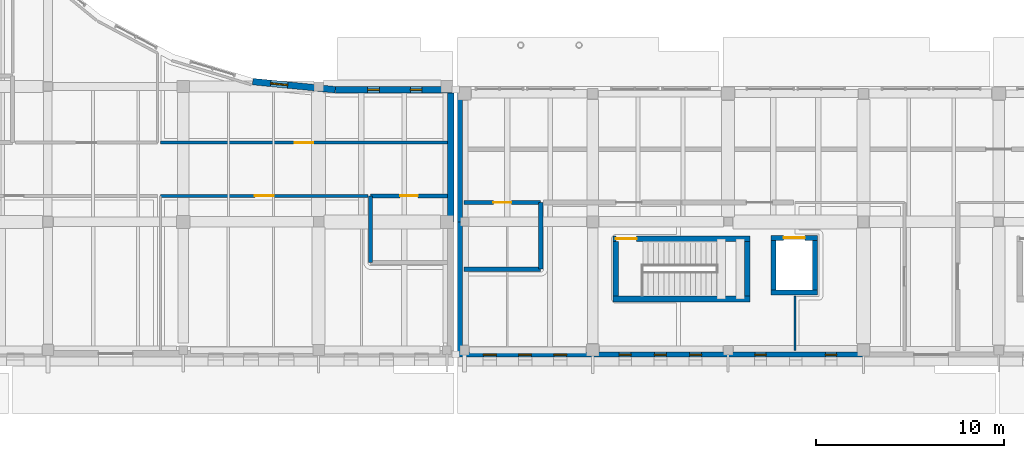
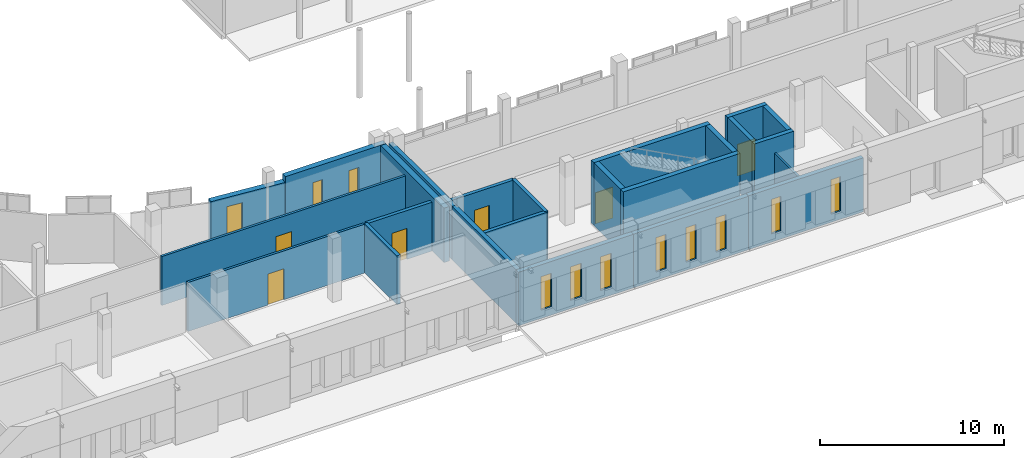
# One storey, part 49 of 77: 24 walls, 11 windows, 6 doors, 17 openings.
"""IFC4 building model written with IfcOpenShell, lengths in metres."""

from ifc_helpers import new_model, si_unit, direction, frame, frame_2d, origin, place, context, subcontext, project, spatial, rectangle, extrude, material, layer, layer_set, type_object, element, fill, save


model = new_model("IFC4")

# Units and contexts
model_context = context("Model", 3, precision=1e-05, world=origin(), true_north=direction((0.0, 1.0)))
body_context = subcontext(model_context, "Body", "Model", "MODEL_VIEW")
ifc_project = project(units=[si_unit("LENGTHUNIT", "METRE"), si_unit("AREAUNIT", "SQUARE_METRE"), si_unit("VOLUMEUNIT", "CUBIC_METRE"), si_unit("PLANEANGLEUNIT", "RADIAN"), si_unit("MASSUNIT", "GRAM", prefix="KILO")], contexts=[model_context])

# Site, building, storey
site_placement = place(None, origin())
site = spatial("IfcSite", under=ifc_project, at=site_placement, CompositionType="ELEMENT")
building_placement = place(site_placement, origin())
building = spatial("IfcBuilding", under=site, at=building_placement, Name="Vardoun Plaza Health Centre", CompositionType="ELEMENT")
storey_placement = place(building_placement, origin())
storey = spatial("IfcBuildingStorey", under=building, at=storey_placement, Name="L00", CompositionType="ELEMENT", Elevation=0.0)

# Walls
ifc_material_1 = material(Name="Concrete C40/50", Category="concrete")
ifc_layer_1 = layer(ifc_material_1, 0.27001953125)
ifc_layer_set_1 = layer_set([ifc_layer_1], Name="Concrete C40/50")
wall_type_1 = type_object("IfcWallType", Name="SW-03", PredefinedType="SHEAR", material=ifc_layer_set_1)
wall_1_placement = place(storey_placement, frame((67.034912109375, 7.949951171875, 0.0), z_axis=(0.0, 0.0, 1.0), x_axis=(-1.0, 0.0, 0.0)))
element("IfcWall", 1, at=wall_1_placement, inside=storey, type_object=wall_type_1, Name="Lift LP-03 L00 Shaft Wall S", PredefinedType="SHEAR", context=body_context, shape_type="SweptSolid", body=[
    extrude(rectangle(XDim=2.469970703125, YDim=0.27001953125, at=frame_2d((1.23486328125, 0.0))), origin(), (0.0, 0.0, 1.0), 4.18505859375),
])
wall_2_placement = place(storey_placement, frame((64.699951171875, 8.0849609375, 0.0), z_axis=(0.0, 0.0, 1.0), x_axis=(0.0, 1.0, 0.0)))
element("IfcWall", 2, at=wall_2_placement, inside=storey, type_object=wall_type_1, Name="Lift LP-03 L00 Shaft Wall W", PredefinedType="SHEAR", context=body_context, shape_type="SweptSolid", body=[
    extrude(rectangle(XDim=2.630126953125, YDim=0.27001953125, at=frame_2d((1.31494140625, 0.0))), origin(), (0.0, 0.0, 1.0), 4.18505859375),
])

# Wall, opening, door
wall_3_placement = place(storey_placement, frame((64.56494140625, 10.85009765625, 0.0), z_axis=(0.0, 0.0, 1.0), x_axis=(1.0, 0.0, 0.0)))
wall_3 = element("IfcWall", 3, at=wall_3_placement, inside=storey, type_object=wall_type_1, Name="Lift LP-03 L00 Shaft Wall N", PredefinedType="SHEAR", context=body_context, shape_type="SweptSolid", body=[
    extrude(rectangle(XDim=2.469970703125, YDim=0.27001953125, at=frame_2d((1.23486328125, 0.0))), origin(), (0.0, 0.0, 1.0), 4.18505859375),
])
opening_1_placement = place(wall_3_placement, frame((0.675048828125, 0.0, 0.0)))
opening_1 = element("IfcOpeningElement", 4, at=opening_1_placement, cuts=wall_3, Name="Opening LD-LP-03-L00", PredefinedType="OPENING", context=body_context, shape_type="SweptSolid", body=[
    extrude(rectangle(XDim=1.1201171875, YDim=2.10009765625, at=frame_2d((0.56005859375, 1.050048828125))), frame((0.0, 0.135009765625, 0.0), z_axis=(0.0, -1.0, 0.0), x_axis=(1.0, 0.0, 0.0)), (0.0, 0.0, 1.0), 0.27001953125),
])
ifc_material_2 = material(Name="Brushed Stainless Steel Grade 316L", Category="steel")
door_type_1 = type_object("IfcDoorType", Name="LD-01", OperationType="DOUBLE_DOOR_SLIDING", PredefinedType="DOOR", material=ifc_material_2)
door_1_placement = place(opening_1_placement, origin())
door_1 = element("IfcDoor", 5, at=door_1_placement, inside=storey, type_object=door_type_1, Name="Lift LP-03 L00 Sliding Landing Door", OperationType="DOUBLE_DOOR_SLIDING", OverallHeight=2.10009765625, OverallWidth=1.1201171875, PredefinedType="DOOR", context=body_context, shape_type="SweptSolid", body=[
    extrude(rectangle(XDim=1.1201171875, YDim=2.10009765625, at=frame_2d((0.56005859375, 1.050048828125))), frame((0.0, 0.02490234375, 0.0), z_axis=(0.0, -1.0, 0.0), x_axis=(1.0, 0.0, 0.0)), (0.0, 0.0, 1.0), 0.050048828125),
])
fill(opening_1, door_1)

# Walls
wall_4_placement = place(storey_placement, frame((66.89990234375, 10.715087890625, 0.0), z_axis=(0.0, 0.0, 1.0), x_axis=(0.0, -1.0, 0.0)))
element("IfcWall", 6, at=wall_4_placement, inside=storey, type_object=wall_type_1, Name="Lift LP-03 L00 Shaft Wall E", PredefinedType="SHEAR", context=body_context, shape_type="SweptSolid", body=[
    extrude(rectangle(XDim=2.630126953125, YDim=0.27001953125, at=frame_2d((1.31494140625, 0.0))), origin(), (0.0, 0.0, 1.0), 4.18505859375),
])
ifc_material_3 = material(Name="Concrete C40/50", Category="concrete")
ifc_layer_2 = layer(ifc_material_3, 0.300048828125)
ifc_layer_set_2 = layer_set([ifc_layer_2], Name="Concrete C40/50")
wall_type_2 = type_object("IfcWallType", Name="SW-01", PredefinedType="SHEAR", material=ifc_layer_set_2)
wall_5_placement = place(storey_placement, frame((63.449951171875, 7.60009765625, 0.0), z_axis=(0.0, 0.0, 1.0), x_axis=(-1.0, 0.0, 0.0)))
element("IfcWall", 7, at=wall_5_placement, inside=storey, type_object=wall_type_2, Name="Core C6 L00 Shear Wall S", PredefinedType="SHEAR", context=body_context, shape_type="SweptSolid", body=[
    extrude(rectangle(XDim=7.300048828125, YDim=0.300048828125, at=frame_2d((3.64990234375, 0.0))), origin(), (0.0, 0.0, 1.0), 4.18505859375),
])
wall_6_placement = place(storey_placement, frame((56.300048828125, 7.75, 0.0), z_axis=(0.0, 0.0, 1.0), x_axis=(0.0, 1.0, 0.0)))
element("IfcWall", 8, at=wall_6_placement, inside=storey, type_object=wall_type_2, Name="Core C6 L00 Shear Wall W", PredefinedType="SHEAR", context=body_context, shape_type="SweptSolid", body=[
    extrude(rectangle(XDim=2.89990234375, YDim=0.300048828125, at=frame_2d((1.449951171875, 0.0))), origin(), (0.0, 0.0, 1.0), 4.18505859375),
])

# Wall, opening, door
wall_7_placement = place(storey_placement, frame((56.14990234375, 10.800048828125, 0.0), z_axis=(0.0, 0.0, 1.0), x_axis=(1.0, 0.0, 0.0)))
wall_7 = element("IfcWall", 9, at=wall_7_placement, inside=storey, type_object=wall_type_2, Name="Core C6 L00 Shear Wall N", PredefinedType="SHEAR", context=body_context, shape_type="SweptSolid", body=[
    extrude(rectangle(XDim=7.300048828125, YDim=0.300048828125, at=frame_2d((3.64990234375, 0.0))), origin(), (0.0, 0.0, 1.0), 4.18505859375),
])
opening_2_placement = place(wall_7_placement, frame((0.159912109375, 0.0, 0.0)))
opening_2 = element("IfcOpeningElement", 10, at=opening_2_placement, cuts=wall_7, Name="Opening SD-C6-L00", PredefinedType="OPENING", context=body_context, shape_type="SweptSolid", body=[
    extrude(rectangle(XDim=1.10009765625, YDim=2.050048828125, at=frame_2d((0.550048828125, 1.02490234375))), frame((0.0, 0.14990234375, 0.0), z_axis=(0.0, -1.0, 0.0), x_axis=(1.0, 0.0, 0.0)), (0.0, 0.0, 1.0), 0.300048828125),
])
ifc_material_4 = material(Name="Brushed Stainless Steel Grade 316L", Category="steel")
door_type_2 = type_object("IfcDoorType", Name="FD-01", OperationType="NOTDEFINED", PredefinedType="DOOR", material=ifc_material_4)
door_2_placement = place(opening_2_placement, origin())
door_2 = element("IfcDoor", 11, at=door_2_placement, inside=storey, type_object=door_type_2, Name="Stair C6 L00 Fire Door", OperationType="SINGLE_SWING_RIGHT", OverallHeight=2.050048828125, OverallWidth=1.10009765625, PredefinedType="DOOR", context=body_context, shape_type="SweptSolid", body=[
    extrude(rectangle(XDim=1.10009765625, YDim=2.050048828125, at=frame_2d((0.550048828125, 1.02490234375))), frame((0.0, 0.02490234375, 0.0), z_axis=(0.0, -1.0, 0.0), x_axis=(1.0, 0.0, 0.0)), (0.0, 0.0, 1.0), 0.050048828125),
])
fill(opening_2, door_2)

# Wall
wall_8_placement = place(storey_placement, frame((63.300048828125, 10.64990234375, 0.0), z_axis=(0.0, 0.0, 1.0), x_axis=(0.0, -1.0, 0.0)))
element("IfcWall", 12, at=wall_8_placement, inside=storey, type_object=wall_type_2, Name="Core C6 L00 Shear Wall E", PredefinedType="SHEAR", context=body_context, shape_type="SweptSolid", body=[
    extrude(rectangle(XDim=2.89990234375, YDim=0.300048828125, at=frame_2d((1.449951171875, 0.0))), origin(), (0.0, 0.0, 1.0), 4.18505859375),
])

# Wall, openings, windows
ifc_material_5 = material(Name="Pale Limestone Concrete C35/45", Category="masonry")
ifc_layer_3 = layer(ifc_material_5, 0.280029296875)
ifc_layer_set_3 = layer_set([ifc_layer_3], Name="Pale Limestone Concrete C35/45")
wall_type_3 = type_object("IfcWallType", Name="EW-05", PredefinedType="STANDARD", material=ifc_layer_set_3)
wall_9_placement = place(storey_placement, frame((69.47998046875, 4.639892578125, 0.0), z_axis=(0.0, 0.0, 1.0), x_axis=(-1.0, 0.0, 0.0)))
wall_9 = element("IfcWall", 13, at=wall_9_placement, inside=storey, type_object=wall_type_3, Name="V4 L00 Exterior Wall EW-V4-331", PredefinedType="STANDARD", context=body_context, shape_type="SweptSolid", body=[
    extrude(rectangle(XDim=7.199951171875, YDim=0.280029296875, at=frame_2d((3.60009765625, 0.0))), origin(), (0.0, 0.0, 1.0), 3.570068359375),
])
opening_3_placement = place(wall_9_placement, frame((1.427978515625, 0.0, 0.550048828125)))
opening_3 = element("IfcOpeningElement", 14, at=opening_3_placement, cuts=wall_9, Name="Opening W-11-013", PredefinedType="OPENING", context=body_context, shape_type="SweptSolid", body=[
    extrude(rectangle(XDim=0.60009765625, YDim=2.280029296875, at=frame_2d((0.300048828125, 1.14013671875))), frame((0.0, 0.14013671875, 0.0), z_axis=(0.0, -1.0, 0.0), x_axis=(1.0, 0.0, 0.0)), (0.0, 0.0, 1.0), 0.280029296875),
])
opening_4_placement = place(wall_9_placement, frame((5.172119140625, 0.0, 0.550048828125)))
opening_4 = element("IfcOpeningElement", 15, at=opening_4_placement, cuts=wall_9, Name="Opening W-11-014", PredefinedType="OPENING", context=body_context, shape_type="SweptSolid", body=[
    extrude(rectangle(XDim=0.60009765625, YDim=2.280029296875, at=frame_2d((0.300048828125, 1.14013671875))), frame((0.0, 0.14013671875, 0.0), z_axis=(0.0, -1.0, 0.0), x_axis=(1.0, 0.0, 0.0)), (0.0, 0.0, 1.0), 0.280029296875),
])
ifc_material_6 = material(Name="Aluminium Alloy EN AW-6063-T6 and Low-E Glass", Category="aluminium")
window_type_1 = type_object("IfcWindowType", Name="W-11", PartitioningType="SINGLE_PANEL", PredefinedType="WINDOW", material=ifc_material_6)
window_1_placement = place(opening_3_placement, origin())
window_1 = element("IfcWindow", 16, at=window_1_placement, inside=storey, type_object=window_type_1, Name="V4 L00 Deep-Punched Slot Window W-11-514", OverallHeight=2.280029296875, OverallWidth=0.60009765625, PartitioningType="SINGLE_PANEL", PredefinedType="WINDOW", context=body_context, shape_type="SweptSolid", body=[
    extrude(rectangle(XDim=0.60009765625, YDim=2.280029296875, at=frame_2d((0.300048828125, 1.14013671875))), frame((0.0, 0.030029296875, 0.0), z_axis=(0.0, -1.0, 0.0), x_axis=(1.0, 0.0, 0.0)), (0.0, 0.0, 1.0), 0.06005859375),
])
fill(opening_3, window_1)
window_2_placement = place(opening_4_placement, origin())
window_2 = element("IfcWindow", 17, at=window_2_placement, inside=storey, type_object=window_type_1, Name="V4 L00 Deep-Punched Slot Window W-11-516", OverallHeight=2.280029296875, OverallWidth=0.60009765625, PartitioningType="SINGLE_PANEL", PredefinedType="WINDOW", context=body_context, shape_type="SweptSolid", body=[
    extrude(rectangle(XDim=0.60009765625, YDim=2.280029296875, at=frame_2d((0.300048828125, 1.14013671875))), frame((0.0, 0.030029296875, 0.0), z_axis=(0.0, -1.0, 0.0), x_axis=(1.0, 0.0, 0.0)), (0.0, 0.0, 1.0), 0.06005859375),
])
fill(opening_4, window_2)

wall_10_placement = place(storey_placement, frame((62.280029296875, 4.639892578125, 0.0), z_axis=(0.0, 0.0, 1.0), x_axis=(-1.0, 0.0, 0.0)))
wall_10 = element("IfcWall", 18, at=wall_10_placement, inside=storey, type_object=wall_type_3, Name="V4 L00 Exterior Wall EW-V4-332", PredefinedType="STANDARD", context=body_context, shape_type="SweptSolid", body=[
    extrude(rectangle(XDim=7.199951171875, YDim=0.280029296875, at=frame_2d((3.60009765625, 0.0))), origin(), (0.0, 0.0, 1.0), 3.550048828125),
])
opening_5_placement = place(wall_10_placement, frame((1.407958984375, 0.0, 0.550048828125)))
opening_5 = element("IfcOpeningElement", 19, at=opening_5_placement, cuts=wall_10, Name="Opening W-12-010", PredefinedType="OPENING", context=body_context, shape_type="SweptSolid", body=[
    extrude(rectangle(XDim=0.639892578125, YDim=2.280029296875, at=frame_2d((0.31982421875, 1.14013671875))), frame((0.0, 0.14013671875, 0.0), z_axis=(0.0, -1.0, 0.0), x_axis=(1.0, 0.0, 0.0)), (0.0, 0.0, 1.0), 0.280029296875),
])
opening_6_placement = place(wall_10_placement, frame((3.280029296875, 0.0, 0.550048828125)))
opening_6 = element("IfcOpeningElement", 20, at=opening_6_placement, cuts=wall_10, Name="Opening W-12-011", PredefinedType="OPENING", context=body_context, shape_type="SweptSolid", body=[
    extrude(rectangle(XDim=0.639892578125, YDim=2.280029296875, at=frame_2d((0.31982421875, 1.14013671875))), frame((0.0, 0.14013671875, 0.0), z_axis=(0.0, -1.0, 0.0), x_axis=(1.0, 0.0, 0.0)), (0.0, 0.0, 1.0), 0.280029296875),
])
opening_7_placement = place(wall_10_placement, frame((5.152099609375, 0.0, 0.550048828125)))
opening_7 = element("IfcOpeningElement", 21, at=opening_7_placement, cuts=wall_10, Name="Opening W-12-012", PredefinedType="OPENING", context=body_context, shape_type="SweptSolid", body=[
    extrude(rectangle(XDim=0.639892578125, YDim=2.280029296875, at=frame_2d((0.31982421875, 1.14013671875))), frame((0.0, 0.14013671875, 0.0), z_axis=(0.0, -1.0, 0.0), x_axis=(1.0, 0.0, 0.0)), (0.0, 0.0, 1.0), 0.280029296875),
])
ifc_material_7 = material(Name="Aluminium Alloy EN AW-6063-T6 and Low-E Glass", Category="aluminium")
window_type_2 = type_object("IfcWindowType", Name="W-12", PartitioningType="SINGLE_PANEL", PredefinedType="WINDOW", material=ifc_material_7)
window_3_placement = place(opening_5_placement, origin())
window_3 = element("IfcWindow", 22, at=window_3_placement, inside=storey, type_object=window_type_2, Name="V4 L00 Deep-Punched Slot Window W-12-517", OverallHeight=2.280029296875, OverallWidth=0.639892578125, PartitioningType="SINGLE_PANEL", PredefinedType="WINDOW", context=body_context, shape_type="SweptSolid", body=[
    extrude(rectangle(XDim=0.639892578125, YDim=2.280029296875, at=frame_2d((0.31982421875, 1.14013671875))), frame((0.0, 0.030029296875, 0.0), z_axis=(0.0, -1.0, 0.0), x_axis=(1.0, 0.0, 0.0)), (0.0, 0.0, 1.0), 0.06005859375),
])
fill(opening_5, window_3)
window_4_placement = place(opening_6_placement, origin())
window_4 = element("IfcWindow", 23, at=window_4_placement, inside=storey, type_object=window_type_2, Name="V4 L00 Deep-Punched Slot Window W-12-518", OverallHeight=2.280029296875, OverallWidth=0.639892578125, PartitioningType="SINGLE_PANEL", PredefinedType="WINDOW", context=body_context, shape_type="SweptSolid", body=[
    extrude(rectangle(XDim=0.639892578125, YDim=2.280029296875, at=frame_2d((0.31982421875, 1.14013671875))), frame((0.0, 0.030029296875, 0.0), z_axis=(0.0, -1.0, 0.0), x_axis=(1.0, 0.0, 0.0)), (0.0, 0.0, 1.0), 0.06005859375),
])
fill(opening_6, window_4)
window_5_placement = place(opening_7_placement, origin())
window_5 = element("IfcWindow", 24, at=window_5_placement, inside=storey, type_object=window_type_2, Name="V4 L00 Deep-Punched Slot Window W-12-519", OverallHeight=2.280029296875, OverallWidth=0.639892578125, PartitioningType="SINGLE_PANEL", PredefinedType="WINDOW", context=body_context, shape_type="SweptSolid", body=[
    extrude(rectangle(XDim=0.639892578125, YDim=2.280029296875, at=frame_2d((0.31982421875, 1.14013671875))), frame((0.0, 0.030029296875, 0.0), z_axis=(0.0, -1.0, 0.0), x_axis=(1.0, 0.0, 0.0)), (0.0, 0.0, 1.0), 0.06005859375),
])
fill(opening_7, window_5)

wall_11_placement = place(storey_placement, frame((55.080078125, 4.639892578125, 0.0), z_axis=(0.0, 0.0, 1.0), x_axis=(-1.0, 0.0, 0.0)))
wall_11 = element("IfcWall", 25, at=wall_11_placement, inside=storey, type_object=wall_type_3, Name="V4 L00 Exterior Wall EW-V4-333", PredefinedType="STANDARD", context=body_context, shape_type="SweptSolid", body=[
    extrude(rectangle(XDim=7.2001953125, YDim=0.280029296875, at=frame_2d((3.60009765625, 0.0))), origin(), (0.0, 0.0, 1.0), 3.550048828125),
])
opening_8_placement = place(wall_11_placement, frame((1.387939453125, 0.0, 0.550048828125)))
opening_8 = element("IfcOpeningElement", 26, at=opening_8_placement, cuts=wall_11, Name="Opening W-13-015", PredefinedType="OPENING", context=body_context, shape_type="SweptSolid", body=[
    extrude(rectangle(XDim=0.679931640625, YDim=2.219970703125, at=frame_2d((0.33984375, 1.10986328125))), frame((0.0, 0.14013671875, 0.0), z_axis=(0.0, -1.0, 0.0), x_axis=(1.0, 0.0, 0.0)), (0.0, 0.0, 1.0), 0.280029296875),
])
opening_9_placement = place(wall_11_placement, frame((3.260009765625, 0.0, 0.550048828125)))
opening_9 = element("IfcOpeningElement", 27, at=opening_9_placement, cuts=wall_11, Name="Opening W-13-016", PredefinedType="OPENING", context=body_context, shape_type="SweptSolid", body=[
    extrude(rectangle(XDim=0.679931640625, YDim=2.219970703125, at=frame_2d((0.33984375, 1.10986328125))), frame((0.0, 0.14013671875, 0.0), z_axis=(0.0, -1.0, 0.0), x_axis=(1.0, 0.0, 0.0)), (0.0, 0.0, 1.0), 0.280029296875),
])
opening_10_placement = place(wall_11_placement, frame((5.132080078125, 0.0, 0.550048828125)))
opening_10 = element("IfcOpeningElement", 28, at=opening_10_placement, cuts=wall_11, Name="Opening W-13-017", PredefinedType="OPENING", context=body_context, shape_type="SweptSolid", body=[
    extrude(rectangle(XDim=0.679931640625, YDim=2.219970703125, at=frame_2d((0.33984375, 1.10986328125))), frame((0.0, 0.14013671875, 0.0), z_axis=(0.0, -1.0, 0.0), x_axis=(1.0, 0.0, 0.0)), (0.0, 0.0, 1.0), 0.280029296875),
])
ifc_material_8 = material(Name="Aluminium Alloy EN AW-6063-T6 and Low-E Glass", Category="aluminium")
window_type_3 = type_object("IfcWindowType", Name="W-13", PartitioningType="SINGLE_PANEL", PredefinedType="WINDOW", material=ifc_material_8)
window_6_placement = place(opening_8_placement, origin())
window_6 = element("IfcWindow", 29, at=window_6_placement, inside=storey, type_object=window_type_3, Name="V4 L00 Deep-Punched Slot Window W-13-520", OverallHeight=2.219970703125, OverallWidth=0.679931640625, PartitioningType="SINGLE_PANEL", PredefinedType="WINDOW", context=body_context, shape_type="SweptSolid", body=[
    extrude(rectangle(XDim=0.679931640625, YDim=2.219970703125, at=frame_2d((0.33984375, 1.10986328125))), frame((0.0, 0.030029296875, 0.0), z_axis=(0.0, -1.0, 0.0), x_axis=(1.0, 0.0, 0.0)), (0.0, 0.0, 1.0), 0.06005859375),
])
fill(opening_8, window_6)
window_7_placement = place(opening_9_placement, origin())
window_7 = element("IfcWindow", 30, at=window_7_placement, inside=storey, type_object=window_type_3, Name="V4 L00 Deep-Punched Slot Window W-13-521", OverallHeight=2.219970703125, OverallWidth=0.679931640625, PartitioningType="SINGLE_PANEL", PredefinedType="WINDOW", context=body_context, shape_type="SweptSolid", body=[
    extrude(rectangle(XDim=0.679931640625, YDim=2.219970703125, at=frame_2d((0.33984375, 1.10986328125))), frame((0.0, 0.030029296875, 0.0), z_axis=(0.0, -1.0, 0.0), x_axis=(1.0, 0.0, 0.0)), (0.0, 0.0, 1.0), 0.06005859375),
])
fill(opening_9, window_7)
window_8_placement = place(opening_10_placement, origin())
window_8 = element("IfcWindow", 31, at=window_8_placement, inside=storey, type_object=window_type_3, Name="V4 L00 Deep-Punched Slot Window W-13-522", OverallHeight=2.219970703125, OverallWidth=0.679931640625, PartitioningType="SINGLE_PANEL", PredefinedType="WINDOW", context=body_context, shape_type="SweptSolid", body=[
    extrude(rectangle(XDim=0.679931640625, YDim=2.219970703125, at=frame_2d((0.33984375, 1.10986328125))), frame((0.0, 0.030029296875, 0.0), z_axis=(0.0, -1.0, 0.0), x_axis=(1.0, 0.0, 0.0)), (0.0, 0.0, 1.0), 0.06005859375),
])
fill(opening_10, window_8)

# Walls
wall_12_placement = place(storey_placement, frame((48.02001953125, 4.780029296875, 0.0), z_axis=(0.0, 0.0, 1.0), x_axis=(0.0, 1.0, 0.0)))
element("IfcWall", 32, at=wall_12_placement, inside=storey, type_object=wall_type_3, Name="V4 L00 Exterior Wall EW-V4-334", PredefinedType="STANDARD", context=body_context, shape_type="SweptSolid", body=[
    extrude(rectangle(XDim=6.919921875, YDim=0.280029296875, at=frame_2d((3.4599609375, 0.0))), origin(), (0.0, 0.0, 1.0), 3.550048828125),
])
wall_13_placement = place(storey_placement, frame((48.02001953125, 11.699951171875, 0.0), z_axis=(0.0, 0.0, 1.0), x_axis=(0.0, 1.0, 0.0)))
element("IfcWall", 33, at=wall_13_placement, inside=storey, type_object=wall_type_3, Name="V4 L00 Exterior Wall EW-V4-335", PredefinedType="STANDARD", context=body_context, shape_type="SweptSolid", body=[
    extrude(rectangle(XDim=6.920166015625, YDim=0.280029296875, at=frame_2d((3.4599609375, 0.0))), origin(), (0.0, 0.0, 1.0), 3.550048828125),
])

# Wall, opening, window
ifc_material_9 = material(Name="Pale Limestone Concrete C35/45", Category="masonry")
ifc_layer_4 = layer(ifc_material_9, 0.344970703125)
ifc_layer_set_4 = layer_set([ifc_layer_4], Name="Pale Limestone Concrete C35/45")
wall_type_4 = type_object("IfcWallType", Name="EW-01", PredefinedType="SOLIDWALL", material=ifc_layer_set_4)
wall_14_placement = place(storey_placement, frame((36.99365234375, 19.16064453125, 0.0), z_axis=(0.0, 0.0, 1.0), x_axis=(0.995183522218, -0.098029368588, 0.0)))
wall_14 = element("IfcWall", 34, at=wall_14_placement, inside=storey, type_object=wall_type_4, Name="V2 L00 Exterior Wall EW-V2-080", PredefinedType="SOLIDWALL", context=body_context, shape_type="SweptSolid", body=[
    extrude(rectangle(XDim=4.41064453125, YDim=0.344970703125, at=frame_2d((2.205322265625, 0.0))), origin(), (0.0, 0.0, 1.0), 3.2548828125),
])
opening_11_placement = place(wall_14_placement, frame((0.951416015625, 0.0, 0.550048828125)))
opening_11 = element("IfcOpeningElement", 35, at=opening_11_placement, cuts=wall_14, Name="Opening W-19-001", PredefinedType="OPENING", context=body_context, shape_type="SweptSolid", body=[
    extrude(rectangle(XDim=0.919921875, YDim=2.10009765625, at=frame_2d((0.4599609375, 1.050048828125))), frame((0.0, 0.17236328125, 0.0), z_axis=(0.0, -1.0, 0.0), x_axis=(1.0, 0.0, 0.0)), (0.0, 0.0, 1.0), 0.344970703125),
])
ifc_material_10 = material(Name="Aluminium Alloy EN AW-6063-T6 and Low-E Glass", Category="aluminium")
window_type_4 = type_object("IfcWindowType", Name="W-19", PartitioningType="DOUBLE_PANEL_VERTICAL", PredefinedType="WINDOW", material=ifc_material_10)
window_9_placement = place(opening_11_placement, origin())
window_9 = element("IfcWindow", 36, at=window_9_placement, inside=storey, type_object=window_type_4, Name="V2 L00 Deep-Punched Slot Window W-19-012", OverallHeight=2.10009765625, OverallWidth=0.919921875, PartitioningType="DOUBLE_PANEL_VERTICAL", PredefinedType="WINDOW", context=body_context, shape_type="SweptSolid", body=[
    extrude(rectangle(XDim=0.919921875, YDim=2.10009765625, at=frame_2d((0.4599609375, 1.050048828125))), frame((0.0, 0.030029296875, 0.0), z_axis=(0.0, -1.0, 0.0), x_axis=(1.0, 0.0, 0.0)), (0.0, 0.0, 1.0), 0.06005859375),
])
fill(opening_11, window_9)

# Wall, openings, windows
wall_15_placement = place(storey_placement, frame((41.39990234375, 18.7275390625, 0.0), z_axis=(0.0, 0.0, 1.0), x_axis=(1.0, 0.0, 0.0)))
wall_15 = element("IfcWall", 37, at=wall_15_placement, inside=storey, type_object=wall_type_4, Name="V2 L00 Exterior Wall EW-V2-081", PredefinedType="SOLIDWALL", context=body_context, shape_type="SweptSolid", body=[
    extrude(rectangle(XDim=6.300048828125, YDim=0.344970703125, at=frame_2d((3.14990234375, 0.0))), origin(), (0.0, 0.0, 1.0), 3.625),
])
opening_12_placement = place(wall_15_placement, frame((1.7060546875, 0.0, 0.550048828125)))
opening_12 = element("IfcOpeningElement", 38, at=opening_12_placement, cuts=wall_15, Name="Opening W-21-001", PredefinedType="OPENING", context=body_context, shape_type="SweptSolid", body=[
    extrude(rectangle(XDim=0.6201171875, YDim=2.080078125, at=frame_2d((0.31005859375, 1.0400390625))), frame((0.0, 0.17236328125, 0.0), z_axis=(0.0, -1.0, 0.0), x_axis=(1.0, 0.0, 0.0)), (0.0, 0.0, 1.0), 0.344970703125),
])
opening_13_placement = place(wall_15_placement, frame((3.97412109375, 0.0, 0.550048828125)))
opening_13 = element("IfcOpeningElement", 39, at=opening_13_placement, cuts=wall_15, Name="Opening W-21-002", PredefinedType="OPENING", context=body_context, shape_type="SweptSolid", body=[
    extrude(rectangle(XDim=0.6201171875, YDim=2.080078125, at=frame_2d((0.31005859375, 1.0400390625))), frame((0.0, 0.17236328125, 0.0), z_axis=(0.0, -1.0, 0.0), x_axis=(1.0, 0.0, 0.0)), (0.0, 0.0, 1.0), 0.344970703125),
])
ifc_material_11 = material(Name="Aluminium Alloy EN AW-6063-T6 and Low-E Glass", Category="aluminium")
window_type_5 = type_object("IfcWindowType", Name="W-21", PartitioningType="SINGLE_PANEL", PredefinedType="WINDOW", material=ifc_material_11)
window_10_placement = place(opening_12_placement, origin())
window_10 = element("IfcWindow", 40, at=window_10_placement, inside=storey, type_object=window_type_5, Name="V2 L00 Deep-Punched Slot Window W-21-013", OverallHeight=2.080078125, OverallWidth=0.6201171875, PartitioningType="SINGLE_PANEL", PredefinedType="WINDOW", context=body_context, shape_type="SweptSolid", body=[
    extrude(rectangle(XDim=0.6201171875, YDim=2.080078125, at=frame_2d((0.31005859375, 1.0400390625))), frame((0.0, 0.030029296875, 0.0), z_axis=(0.0, -1.0, 0.0), x_axis=(1.0, 0.0, 0.0)), (0.0, 0.0, 1.0), 0.06005859375),
])
fill(opening_12, window_10)
window_11_placement = place(opening_13_placement, origin())
window_11 = element("IfcWindow", 41, at=window_11_placement, inside=storey, type_object=window_type_5, Name="V2 L00 Deep-Punched Slot Window W-21-014", OverallHeight=2.080078125, OverallWidth=0.6201171875, PartitioningType="SINGLE_PANEL", PredefinedType="WINDOW", context=body_context, shape_type="SweptSolid", body=[
    extrude(rectangle(XDim=0.6201171875, YDim=2.080078125, at=frame_2d((0.31005859375, 1.0400390625))), frame((0.0, 0.030029296875, 0.0), z_axis=(0.0, -1.0, 0.0), x_axis=(1.0, 0.0, 0.0)), (0.0, 0.0, 1.0), 0.06005859375),
])
fill(opening_13, window_11)

# Wall
wall_16_placement = place(storey_placement, frame((47.527587890625, 18.554931640625, 0.0), z_axis=(0.0, 0.0, 1.0), x_axis=(0.0, -1.0, 0.0)))
element("IfcWall", 42, at=wall_16_placement, inside=storey, type_object=wall_type_4, Name="V2 L00 Exterior Wall EW-V2-082", PredefinedType="SOLIDWALL", context=body_context, shape_type="SweptSolid", body=[
    extrude(rectangle(XDim=6.85498046875, YDim=0.344970703125, at=frame_2d((3.427490234375, 0.0))), origin(), (0.0, 0.0, 1.0), 3.60498046875),
])

# Wall, opening, door
ifc_material_12 = material(Name="Acoustic Gypsum Twin-Stud", Category="steel")
ifc_layer_5 = layer(ifc_material_12, 0.14990234375)
ifc_layer_set_5 = layer_set([ifc_layer_5], Name="Acoustic Gypsum Twin-Stud")
wall_type_5 = type_object("IfcWallType", Name="IW-04", PredefinedType="PARTITIONING", material=ifc_layer_set_5)
wall_17_placement = place(storey_placement, frame((32.090087890625, 13.080078125, 0.0), z_axis=(0.0, 0.0, 1.0), x_axis=(1.0, 0.0, 0.0)))
wall_17 = element("IfcWall", 43, at=wall_17_placement, inside=storey, type_object=wall_type_5, Name="GP Consulting Room 04 Partition Wall", PredefinedType="PARTITIONING", context=body_context, shape_type="SweptSolid", body=[
    extrude(rectangle(XDim=11.036376953125, YDim=0.14990234375, at=frame_2d((5.51806640625, 0.0))), origin(), (0.0, 0.0, 1.0), 3.239990234375),
])
opening_14_placement = place(wall_17_placement, frame((5.018310546875, 0.0, 0.0)))
opening_14 = element("IfcOpeningElement", 44, at=opening_14_placement, cuts=wall_17, Name="Opening D-L00-029", PredefinedType="OPENING", context=body_context, shape_type="SweptSolid", body=[
    extrude(rectangle(XDim=1.0, YDim=2.050048828125, at=frame_2d((0.5, 1.02490234375))), frame((0.0, 0.074951171875, 0.0), z_axis=(0.0, -1.0, 0.0), x_axis=(1.0, 0.0, 0.0)), (0.0, 0.0, 1.0), 0.14990234375),
])
ifc_material_13 = material(Name="Antimicrobial Acoustic Timber and Steel S275JR", Category="steel")
door_type_3 = type_object("IfcDoorType", Name="CD-03", OperationType="NOTDEFINED", PredefinedType="DOOR", material=ifc_material_13)
door_3_placement = place(opening_14_placement, origin())
door_3 = element("IfcDoor", 45, at=door_3_placement, inside=storey, type_object=door_type_3, Name="GP Consulting Room 04 Door D-L00-029", OperationType="SINGLE_SWING_LEFT", OverallHeight=2.050048828125, OverallWidth=1.0, PredefinedType="DOOR", context=body_context, shape_type="SweptSolid", body=[
    extrude(rectangle(XDim=1.0, YDim=2.050048828125, at=frame_2d((0.5, 1.02490234375))), frame((0.0, 0.02490234375, 0.0), z_axis=(0.0, -1.0, 0.0), x_axis=(1.0, 0.0, 0.0)), (0.0, 0.0, 1.0), 0.050048828125),
])
fill(opening_14, door_3)

wall_18_placement = place(storey_placement, frame((47.35009765625, 15.919921875, 0.0), z_axis=(0.0, 0.0, 1.0), x_axis=(-1.0, 0.0, 0.0)))
wall_18 = element("IfcWall", 46, at=wall_18_placement, inside=storey, type_object=wall_type_5, Name="GP Consulting Room 01 Partition Wall", PredefinedType="PARTITIONING", context=body_context, shape_type="SweptSolid", body=[
    extrude(rectangle(XDim=15.260009765625, YDim=0.14990234375, at=frame_2d((7.6298828125, 0.0))), origin(), (0.0, 0.0, 1.0), 3.239990234375),
])
opening_15_placement = place(wall_18_placement, frame((7.1298828125, 0.0, 0.0)))
opening_15 = element("IfcOpeningElement", 47, at=opening_15_placement, cuts=wall_18, Name="Opening D-L00-033", PredefinedType="OPENING", context=body_context, shape_type="SweptSolid", body=[
    extrude(rectangle(XDim=1.0, YDim=2.050048828125, at=frame_2d((0.5, 1.02490234375))), frame((0.0, 0.074951171875, 0.0), z_axis=(0.0, -1.0, 0.0), x_axis=(1.0, 0.0, 0.0)), (0.0, 0.0, 1.0), 0.14990234375),
])
door_4_placement = place(opening_15_placement, origin())
door_4 = element("IfcDoor", 48, at=door_4_placement, inside=storey, type_object=door_type_3, Name="GP Consulting Room 01 Door D-L00-033", OperationType="SINGLE_SWING_LEFT", OverallHeight=2.050048828125, OverallWidth=1.0, PredefinedType="DOOR", context=body_context, shape_type="SweptSolid", body=[
    extrude(rectangle(XDim=1.0, YDim=2.050048828125, at=frame_2d((0.5, 1.02490234375))), frame((0.0, 0.02490234375, 0.0), z_axis=(0.0, -1.0, 0.0), x_axis=(1.0, 0.0, 0.0)), (0.0, 0.0, 1.0), 0.050048828125),
])
fill(opening_15, door_4)

# Wall
ifc_material_14 = material(Name="Standard Clinical Sub-Partition", Category="steel")
ifc_layer_6 = layer(ifc_material_14, 0.125)
ifc_layer_set_6 = layer_set([ifc_layer_6], Name="Standard Clinical Sub-Partition")
wall_type_6 = type_object("IfcWallType", Name="IW-11", PredefinedType="PARTITIONING", material=ifc_layer_set_6)
wall_19_placement = place(storey_placement, frame((65.840087890625, 4.85009765625, 0.0), z_axis=(0.0, 0.0, 1.0), x_axis=(0.0, 1.0, 0.0)))
element("IfcWall", 49, at=wall_19_placement, inside=storey, type_object=wall_type_6, Name="Gowned Patient Waiting Lounge Enclosure Partition", PredefinedType="PARTITIONING", context=body_context, shape_type="SweptSolid", body=[
    extrude(rectangle(XDim=2.89990234375, YDim=0.125, at=frame_2d((1.449951171875, 0.0))), origin(), (0.0, 0.0, 1.0), 3.205078125),
])

# Wall, opening, door
ifc_material_15 = material(Name="Moisture-Resistant Plumbing Chase", Category="steel")
ifc_layer_7 = layer(ifc_material_15, 0.215087890625)
ifc_layer_set_7 = layer_set([ifc_layer_7], Name="Moisture-Resistant Plumbing Chase")
wall_type_7 = type_object("IfcWallType", Name="IW-06", PredefinedType="PLUMBINGWALL", material=ifc_layer_set_7)
wall_20_placement = place(storey_placement, frame((43.2666015625, 13.080078125, 0.0), z_axis=(0.0, 0.0, 1.0), x_axis=(1.0, 0.0, 0.0)))
wall_20 = element("IfcWall", 50, at=wall_20_placement, inside=storey, type_object=wall_type_7, Name="Accessible WC L00-V2 Partition Wall", PredefinedType="PLUMBINGWALL", context=body_context, shape_type="SweptSolid", body=[
    extrude(rectangle(XDim=4.08349609375, YDim=0.215087890625, at=frame_2d((2.041748046875, 0.0))), origin(), (0.0, 0.0, 1.0), 3.239990234375),
])
opening_16_placement = place(wall_20_placement, frame((1.56689453125, 0.0, 0.0)))
opening_16 = element("IfcOpeningElement", 51, at=opening_16_placement, cuts=wall_20, Name="Opening D-L00-024", PredefinedType="OPENING", context=body_context, shape_type="SweptSolid", body=[
    extrude(rectangle(XDim=0.949951171875, YDim=2.050048828125, at=frame_2d((0.47509765625, 1.02490234375))), frame((0.0, 0.107421875, 0.0), z_axis=(0.0, -1.0, 0.0), x_axis=(1.0, 0.0, 0.0)), (0.0, 0.0, 1.0), 0.215087890625),
])
ifc_material_16 = material(Name="Antimicrobial Acoustic Timber and Steel S275JR", Category="steel")
door_type_4 = type_object("IfcDoorType", Name="CD-07", OperationType="NOTDEFINED", PredefinedType="DOOR", material=ifc_material_16)
door_5_placement = place(opening_16_placement, origin())
door_5 = element("IfcDoor", 52, at=door_5_placement, inside=storey, type_object=door_type_4, Name="Accessible WC L00-V2 Door D-L00-024", OperationType="SINGLE_SWING_RIGHT", OverallHeight=2.050048828125, OverallWidth=0.949951171875, PredefinedType="DOOR", context=body_context, shape_type="SweptSolid", body=[
    extrude(rectangle(XDim=0.949951171875, YDim=2.050048828125, at=frame_2d((0.47509765625, 1.02490234375))), frame((0.0, 0.02490234375, 0.0), z_axis=(0.0, -1.0, 0.0), x_axis=(1.0, 0.0, 0.0)), (0.0, 0.0, 1.0), 0.050048828125),
])
fill(opening_16, door_5)

# Wall
wall_21_placement = place(storey_placement, frame((43.2666015625, 9.529052734375, 0.0), z_axis=(0.0, 0.0, 1.0), x_axis=(0.0, 1.0, 0.0)))
element("IfcWall", 53, at=wall_21_placement, inside=storey, type_object=wall_type_7, Name="Accessible WC L00-V2 Enclosure Partition", PredefinedType="PLUMBINGWALL", context=body_context, shape_type="SweptSolid", body=[
    extrude(rectangle(XDim=3.551025390625, YDim=0.215087890625, at=frame_2d((1.775390625, 0.0))), origin(), (0.0, 0.0, 1.0), 3.239990234375),
])

# Wall, opening, door
wall_22_placement = place(storey_placement, frame((48.22998046875, 12.72998046875, 0.0), z_axis=(0.0, 0.0, 1.0), x_axis=(1.0, 0.0, 0.0)))
wall_22 = element("IfcWall", 54, at=wall_22_placement, inside=storey, type_object=wall_type_7, Name="Accessible WC L00-V4 Partition Wall", PredefinedType="PLUMBINGWALL", context=body_context, shape_type="SweptSolid", body=[
    extrude(rectangle(XDim=4.08349609375, YDim=0.215087890625, at=frame_2d((2.041748046875, 0.0))), origin(), (0.0, 0.0, 1.0), 3.205078125),
])
opening_17_placement = place(wall_22_placement, frame((1.56689453125, 0.0, 0.0)))
opening_17 = element("IfcOpeningElement", 55, at=opening_17_placement, cuts=wall_22, Name="Opening D-L00-115", PredefinedType="OPENING", context=body_context, shape_type="SweptSolid", body=[
    extrude(rectangle(XDim=0.949951171875, YDim=2.050048828125, at=frame_2d((0.47509765625, 1.02490234375))), frame((0.0, 0.107421875, 0.0), z_axis=(0.0, -1.0, 0.0), x_axis=(1.0, 0.0, 0.0)), (0.0, 0.0, 1.0), 0.215087890625),
])
door_6_placement = place(opening_17_placement, origin())
door_6 = element("IfcDoor", 56, at=door_6_placement, inside=storey, type_object=door_type_4, Name="Accessible WC L00-V4 Door D-L00-115", OperationType="SINGLE_SWING_RIGHT", OverallHeight=2.050048828125, OverallWidth=0.949951171875, PredefinedType="DOOR", context=body_context, shape_type="SweptSolid", body=[
    extrude(rectangle(XDim=0.949951171875, YDim=2.050048828125, at=frame_2d((0.47509765625, 1.02490234375))), frame((0.0, 0.02490234375, 0.0), z_axis=(0.0, -1.0, 0.0), x_axis=(1.0, 0.0, 0.0)), (0.0, 0.0, 1.0), 0.050048828125),
])
fill(opening_17, door_6)

# Walls
wall_23_placement = place(storey_placement, frame((52.3134765625, 12.72998046875, 0.0), z_axis=(0.0, 0.0, 1.0), x_axis=(0.0, -1.0, 0.0)))
element("IfcWall", 57, at=wall_23_placement, inside=storey, type_object=wall_type_7, Name="Accessible WC L00-V4 Enclosure Partition", PredefinedType="PLUMBINGWALL", context=body_context, shape_type="SweptSolid", body=[
    extrude(rectangle(XDim=3.55078125, YDim=0.215087890625, at=frame_2d((1.775390625, 0.0))), origin(), (0.0, 0.0, 1.0), 3.205078125),
])
wall_24_placement = place(storey_placement, frame((52.3134765625, 9.17919921875, 0.0), z_axis=(0.0, 0.0, 1.0), x_axis=(-1.0, 0.0, 0.0)))
element("IfcWall", 58, at=wall_24_placement, inside=storey, type_object=wall_type_7, Name="Accessible WC L00-V4 Enclosure Partition", PredefinedType="PLUMBINGWALL", context=body_context, shape_type="SweptSolid", body=[
    extrude(rectangle(XDim=4.08349609375, YDim=0.215087890625, at=frame_2d((2.041748046875, 0.0))), origin(), (0.0, 0.0, 1.0), 3.205078125),
])

save(model, "model.ifc")
